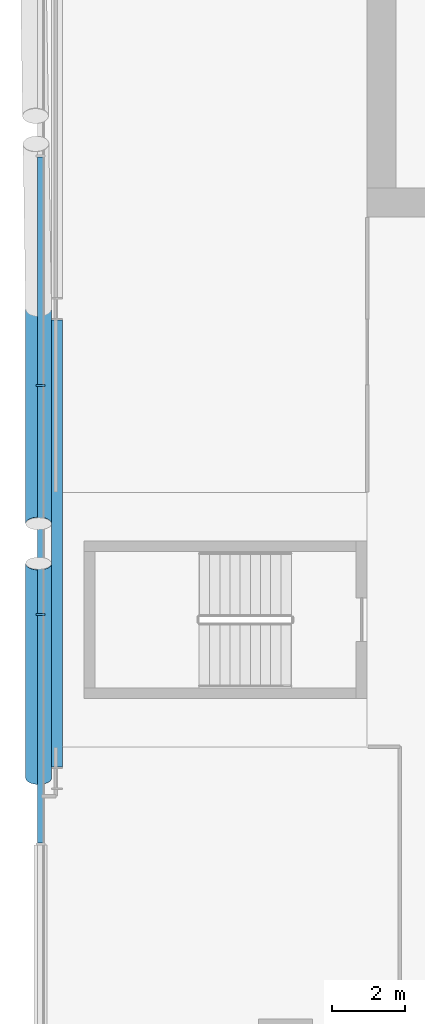
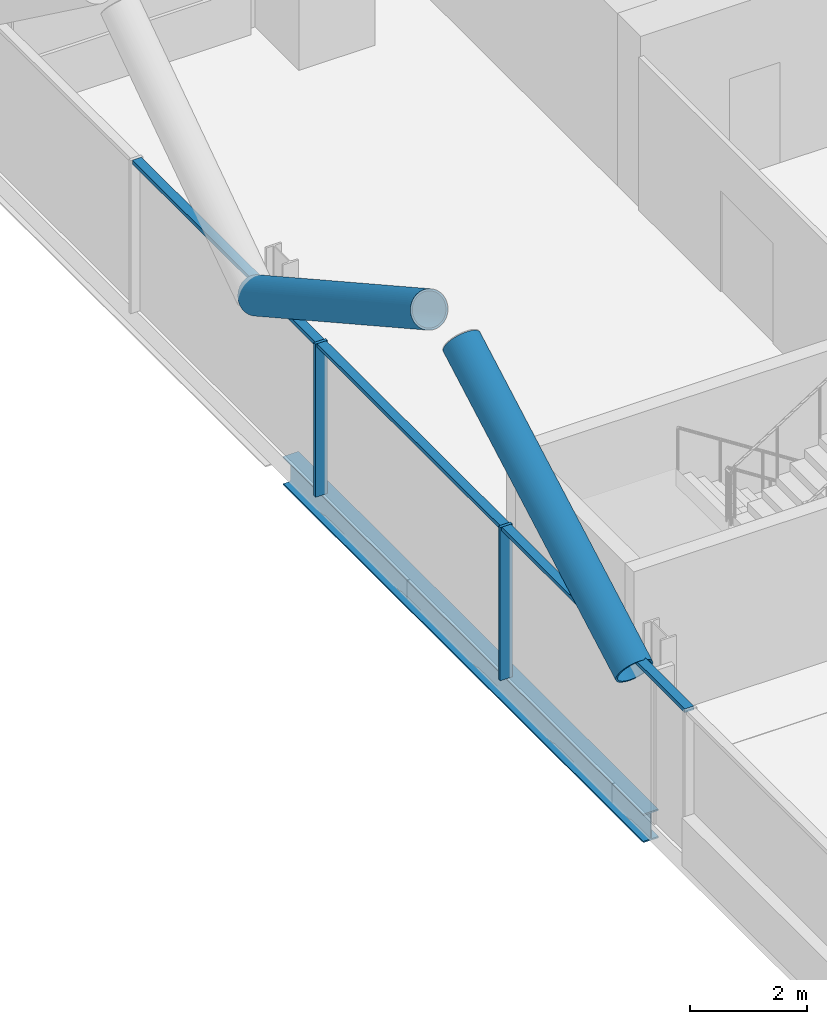
# One storey, part 7 of 26: 7 members, 1 beam, 1 element without a shape of its own.
"""IFC4 building model written with IfcOpenShell, lengths in metres."""

from ifc_helpers import new_model, si_unit, direction, frame, origin, origin_2d, place, context, subcontext, project, spatial, rectangle, hollow_circle, i_section, extrude, material, material_profile, profile_set, type_object, element, aggregate, save


model = new_model("IFC4")

# Units and contexts
model_context = context("Model", 3, precision=1e-05, world=origin(), true_north=direction((0.0, 1.0)))
body_context = subcontext(model_context, "Body", "Model", "MODEL_VIEW")
ifc_project = project(units=[si_unit("LENGTHUNIT", "METRE"), si_unit("AREAUNIT", "SQUARE_METRE"), si_unit("VOLUMEUNIT", "CUBIC_METRE"), si_unit("PLANEANGLEUNIT", "RADIAN"), si_unit("MASSUNIT", "GRAM", prefix="KILO")], contexts=[model_context])

# Site, building, storey
site_placement = place(None, origin())
site = spatial("IfcSite", under=ifc_project, at=site_placement, CompositionType="ELEMENT")
building_placement = place(site_placement, origin())
building = spatial("IfcBuilding", under=site, at=building_placement, Name="Wharfspan Tower", CompositionType="ELEMENT")
storey_placement = place(building_placement, frame((0.0, 0.0, 177.100098)))
storey = spatial("IfcBuildingStorey", under=building, at=storey_placement, Name="L43", CompositionType="ELEMENT", Elevation=177.100098)

# Beam
ifc_material_1 = material(Name="Steel S355J2", Category="steel")
ifc_material_profile_1 = material_profile(ifc_material_1, i_section(OverallWidth=0.300049, OverallDepth=0.600098, WebThickness=0.015381, FlangeThickness=0.030029, FilletRadius=0.0271, at=origin_2d()))
ifc_profile_set_1 = profile_set([ifc_material_profile_1], Name="Steel S355J2")
beam_type = type_object("IfcBeamType", Name="Edge beam HEB 600", PredefinedType="SPANDREL", material=ifc_profile_set_1)
beam_placement = place(storey_placement, frame((7.449951, 31.160645, -0.700195), z_axis=(0.0, -1.0, 0.0), x_axis=(1.0, 0.0, 0.0)))
element("IfcBeam", 1, at=beam_placement, inside=storey, type_object=beam_type, Name="Edge beam W L43 PW.1 to PW.2", PredefinedType="SPANDREL", context=body_context, shape_type="SweptSolid", body=[
    extrude(i_section(OverallWidth=0.300049, OverallDepth=0.600098, WebThickness=0.015381, FlangeThickness=0.030029, FilletRadius=0.0271, at=origin_2d()), origin(), (0.0, 0.0, 1.0), 12.321289),
])

# Curtain wall, members
ifc_material_2 = material(Name="Aluminium 6063-T6", Category="aluminium")
curtain_wall_type = type_object("IfcCurtainWallType", Name="CURTAIN WALL PROW AND END", PredefinedType="NOTDEFINED", material=ifc_material_2)
curtain_wall_placement = place(storey_placement, origin())
curtain_wall = element("IfcCurtainWall", 2, at=curtain_wall_placement, inside=storey, type_object=curtain_wall_type, Name="Curtain wall W", PredefinedType="NOTDEFINED")
ifc_material_profile_2 = material_profile(ifc_material_2, rectangle(XDim=0.23999, YDim=0.060059, at=origin_2d()))
ifc_profile_set_2 = profile_set([ifc_material_profile_2], Name="Aluminium 6063-T6")
member_type_1 = type_object("IfcMemberType", Name="MULLION PROW AND END 60x240", PredefinedType="MULLION", material=ifc_profile_set_2)
member_1_placement = place(storey_placement, frame((7.0, 29.360107, 0.0), z_axis=(0.0, 0.0, 1.0), x_axis=(1.0, 0.0, 0.0)))
member_1 = element("IfcMember", 3, at=member_1_placement, type_object=member_type_1, Name="Curtain wall W mullion 3", PredefinedType="MULLION", context=body_context, shape_type="SweptSolid", body=[
    extrude(rectangle(XDim=0.23999, YDim=0.060059, at=origin_2d()), origin(), (0.0, 0.0, 1.0), 3.199951),
])
member_2_placement = place(storey_placement, frame((7.0, 23.040039, 0.0), z_axis=(0.0, 0.0, 1.0), x_axis=(1.0, 0.0, 0.0)))
member_2 = element("IfcMember", 4, at=member_2_placement, type_object=member_type_1, Name="Curtain wall W mullion 4", PredefinedType="MULLION", context=body_context, shape_type="SweptSolid", body=[
    extrude(rectangle(XDim=0.23999, YDim=0.060059, at=origin_2d()), origin(), (0.0, 0.0, 1.0), 3.199951),
])

# Members
ifc_material_3 = material(Name="Steel S460NH", Category="steel")
ifc_material_profile_3 = material_profile(ifc_material_3, hollow_circle(Radius=0.355469, WallThickness=0.035889, at=origin_2d()))
ifc_profile_set_3 = profile_set([ifc_material_profile_3], Name="Steel S460NH")
member_type_2 = type_object("IfcMemberType", Name="Mega brace CHS 711x36", PredefinedType="BRACE", material=ifc_profile_set_3)
for number, where, z_axis, x_axis, name in (
    (5, (6.945068, 31.466553, 2.899902), (0.0, -0.873718, 0.486433), (1.0, 0.0, 0.0), "Mega brace W3 L44 part 1"),
    (6, (6.945068, 18.533447, 2.899902), (0.0, 0.873718, 0.486433), (-1.0, 0.0, 0.0), "Mega brace W3 L44 part 3"),
):
    element("IfcMember", number, at=place(storey_placement, frame(where, z_axis=z_axis, x_axis=x_axis)), inside=storey, type_object=member_type_2, Name=name, PredefinedType="BRACE", context=body_context, shape_type="SweptSolid", body=[
        extrude(hollow_circle(Radius=0.355469, WallThickness=0.035889, at=origin_2d()), origin(), (0.0, 0.0, 1.0), 6.766602),
    ])

# Member
ifc_material_profile_4 = material_profile(ifc_material_2, rectangle(XDim=0.179932, YDim=0.080078, at=origin_2d()))
ifc_profile_set_4 = profile_set([ifc_material_profile_4], Name="Aluminium 6063-T6")
member_type_3 = type_object("IfcMemberType", Name="TRANSOM PROW AND END 80x180", PredefinedType="USERDEFINED", material=ifc_profile_set_4)
member_3_placement = place(storey_placement, frame((7.0, 35.649902, 3.159912), z_axis=(0.0, -1.0, 0.0), x_axis=(1.0, 0.0, 0.0)))
member_3 = element("IfcMember", 7, at=member_3_placement, type_object=member_type_3, Name="Curtain wall W transom 2", ObjectType="TRANSOM", PredefinedType="USERDEFINED", context=body_context, shape_type="SweptSolid", body=[
    extrude(rectangle(XDim=0.179932, YDim=0.080078, at=origin_2d()), origin(), (0.0, 0.0, 1.0), 6.26001),
])

member_4_placement = place(storey_placement, frame((7.0, 29.330078, 3.159912), z_axis=(0.0, -1.0, 0.0), x_axis=(1.0, 0.0, 0.0)))
member_4 = element("IfcMember", 8, at=member_4_placement, type_object=member_type_3, Name="Curtain wall W transom 3", ObjectType="TRANSOM", PredefinedType="USERDEFINED", context=body_context, shape_type="SweptSolid", body=[
    extrude(rectangle(XDim=0.179932, YDim=0.080078, at=origin_2d()), origin(), (0.0, 0.0, 1.0), 6.26001),
])

member_5_placement = place(storey_placement, frame((7.0, 23.01001, 3.159912), z_axis=(0.0, -1.0, 0.0), x_axis=(1.0, 0.0, 0.0)))
member_5 = element("IfcMember", 9, at=member_5_placement, type_object=member_type_3, Name="Curtain wall W transom 4", ObjectType="TRANSOM", PredefinedType="USERDEFINED", context=body_context, shape_type="SweptSolid", body=[
    extrude(rectangle(XDim=0.179932, YDim=0.080078, at=origin_2d()), origin(), (0.0, 0.0, 1.0), 6.26001),
])

aggregate(curtain_wall, [member_1, member_2, member_3, member_4, member_5])

save(model, "model.ifc")
